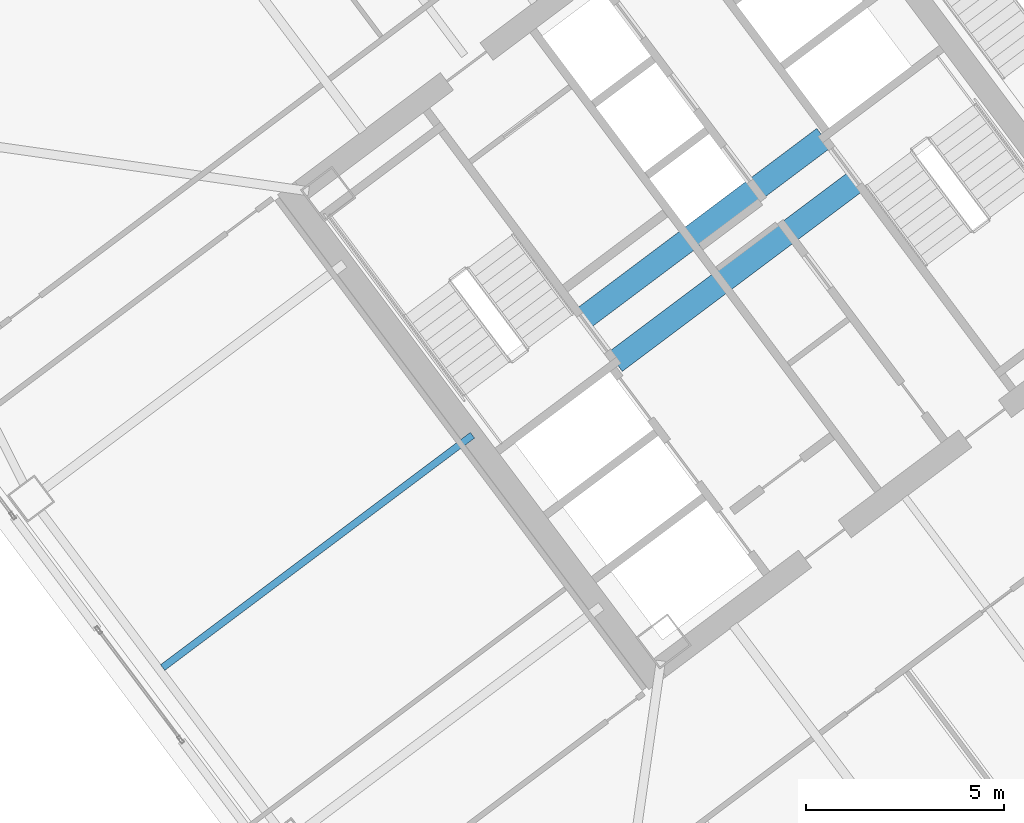
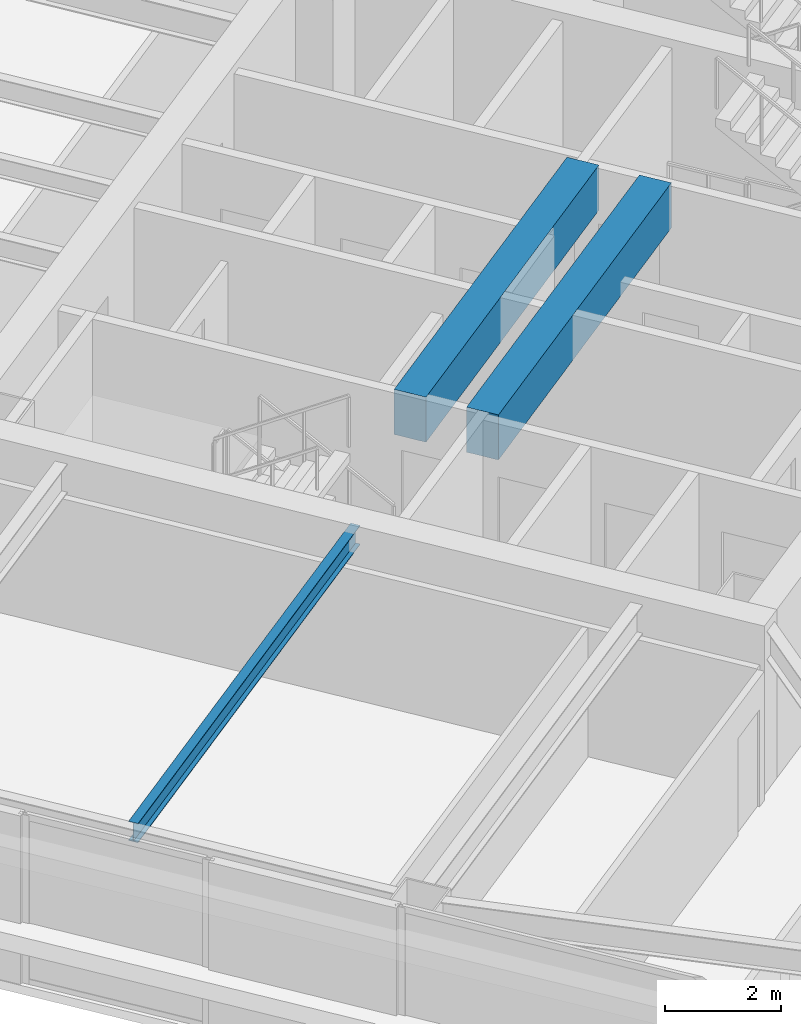
# One storey, part 22 of 42: 3 beams.
"""IFC4 building model written with IfcOpenShell, lengths in metres."""

from ifc_helpers import new_model, si_unit, direction, frame, origin, origin_2d, place, context, subcontext, project, spatial, rectangle, i_section, extrude, material, material_profile, profile_set, type_object, element, save


model = new_model("IFC4")

# Units and contexts
model_context = context("Model", 3, precision=1e-05, world=origin(), true_north=direction((0.0, 1.0)))
body_context = subcontext(model_context, "Body", "Model", "MODEL_VIEW")
ifc_project = project(units=[si_unit("LENGTHUNIT", "METRE"), si_unit("AREAUNIT", "SQUARE_METRE"), si_unit("VOLUMEUNIT", "CUBIC_METRE"), si_unit("PLANEANGLEUNIT", "RADIAN"), si_unit("MASSUNIT", "GRAM", prefix="KILO")], contexts=[model_context])

# Site, building, storey
site_placement = place(None, origin())
site = spatial("IfcSite", under=ifc_project, at=site_placement, CompositionType="ELEMENT")
building_placement = place(site_placement, origin())
building = spatial("IfcBuilding", under=site, at=building_placement, Name="Tashvorn Skyway Center", CompositionType="ELEMENT")
storey_placement = place(building_placement, frame((0.0, 0.0, 121.5)))
storey = spatial("IfcBuildingStorey", under=building, at=storey_placement, Name="L32", CompositionType="ELEMENT", Elevation=121.5)

# Beams
ifc_material_1 = material(Name="Steel ASTM A992 Grade 50", Category="steel")
ifc_material_profile_1 = material_profile(ifc_material_1, i_section(OverallWidth=0.177978515625, OverallDepth=0.406005859375, WebThickness=0.0078125, FlangeThickness=0.0126953125, at=origin_2d()), Name="W16X40")
ifc_profile_set_1 = profile_set([ifc_material_profile_1], Name="Steel ASTM A992 Grade 50")
beam_type_1 = type_object("IfcBeamType", Name="BM-JOIST-W16X40", PredefinedType="JOIST", material=ifc_profile_set_1)
beam_placement = place(storey_placement, frame((107.76806640625, 27.325927734375, 3.1669921875), z_axis=(-0.800006001881, -0.599991997409, 0.0), x_axis=(0.599991997409, -0.800006001881, 0.0)))
element("IfcBeam", 1, at=beam_placement, inside=storey, type_object=beam_type_1, Name="Tower 2 L32 Secondary Composite Joist JW", PredefinedType="JOIST", context=body_context, shape_type="SweptSolid", body=[
    extrude(i_section(OverallWidth=0.177978515625, OverallDepth=0.406005859375, WebThickness=0.0078125, FlangeThickness=0.0126953125, at=origin_2d()), origin(), (0.0, 0.0, 1.0), 9.762451171875),
])
ifc_material_2 = material(Name="Concrete C60/75", Category="concrete")
ifc_material_profile_2 = material_profile(ifc_material_2, rectangle(XDim=0.60009765625, YDim=0.949951171875, at=origin_2d()), Name="RCB600x950")
ifc_profile_set_2 = profile_set([ifc_material_profile_2], Name="Concrete C60/75")
beam_type_2 = type_object("IfcBeamType", Name="BM-LINTEL-RCB600x950", PredefinedType="LINTEL", material=ifc_profile_set_2)
for number, where, z_axis, x_axis, name in (
    (2, (110.552001953125, 30.263916015625, 2.89501953125), (0.8, 0.6, 0.0), (-0.6, 0.8, 0.0), "Tower 2 L32 Core Coupling Beam CN"),
    (3, (111.367919921875, 29.176025390625, 2.89501953125), (0.8, 0.6, 0.0), (-0.6, 0.8, 0.0), "Tower 2 L32 Core Coupling Beam CS"),
):
    element("IfcBeam", number, at=place(storey_placement, frame(where, z_axis=z_axis, x_axis=x_axis)), inside=storey, type_object=beam_type_2, Name=name, PredefinedType="LINTEL", context=body_context, shape_type="SweptSolid", body=[
        extrude(rectangle(XDim=0.60009765625, YDim=0.949951171875, at=origin_2d()), origin(), (0.0, 0.0, 1.0), 7.60009765625),
    ])

save(model, "model.ifc")
